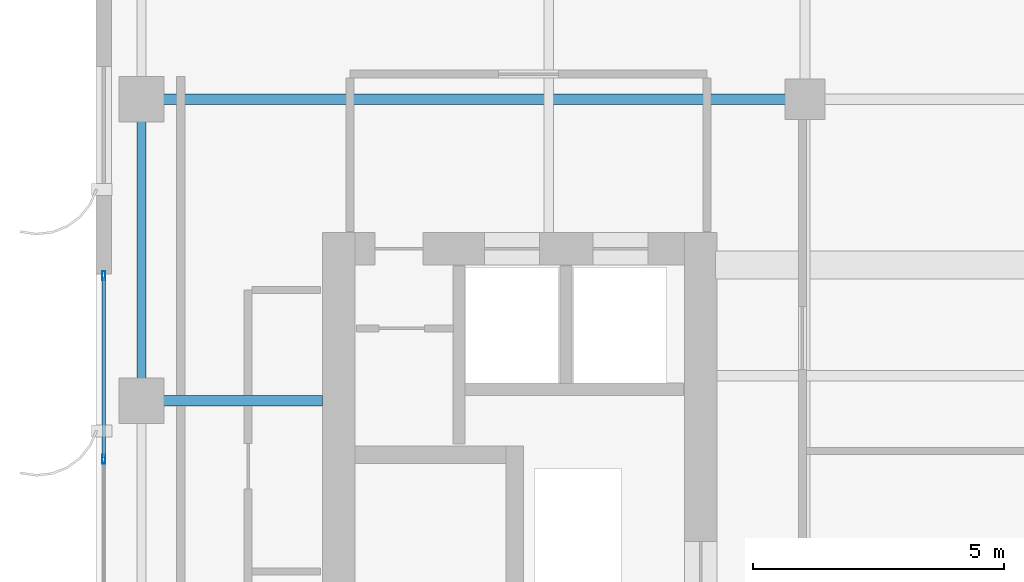
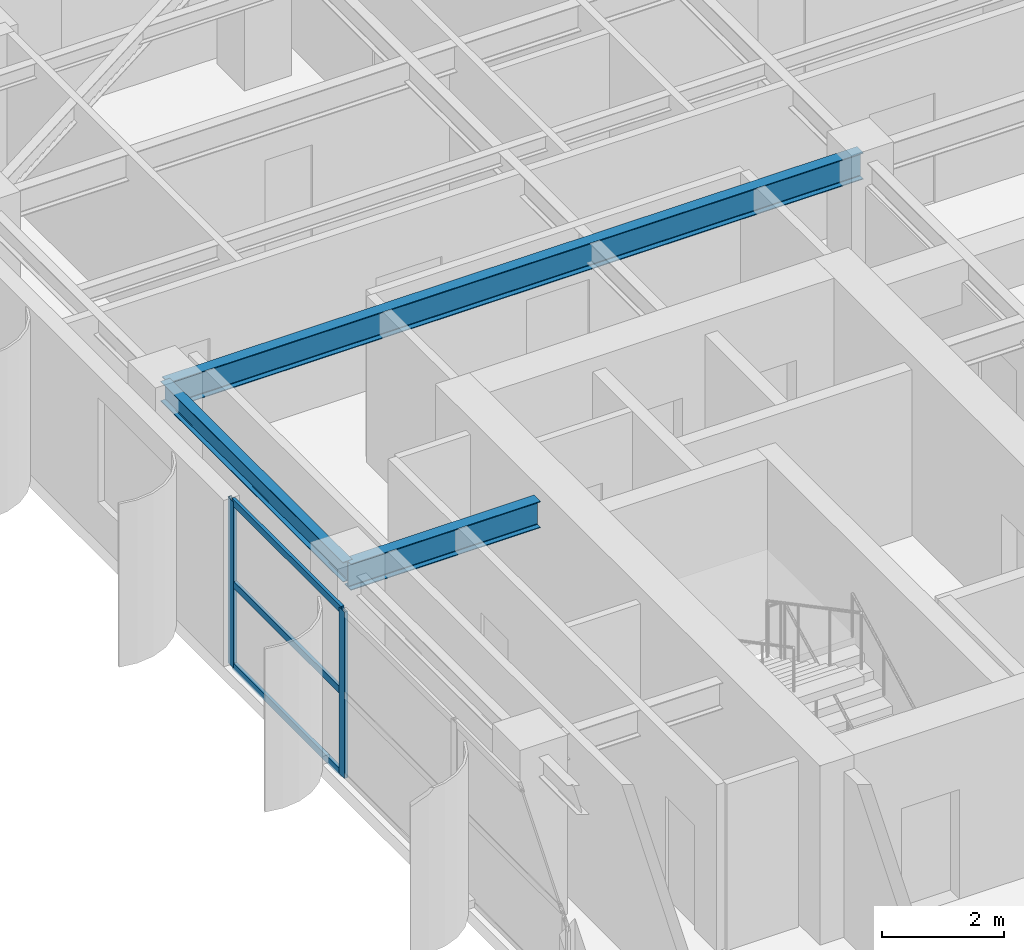
# One storey, part 7 of 23: 5 members, 3 beams, 1 element without a shape of its own.
"""IFC4 building model written with IfcOpenShell, lengths in metres."""

from ifc_helpers import new_model, si_unit, direction, frame, origin, origin_2d, place, context, subcontext, project, spatial, hollow_rectangle, i_section, extrude, source, transform, mapped, material, layer, layer_set, material_profile, profile_set, type_object, element, aggregate, save


model = new_model("IFC4")

# Units and contexts
model_context = context("Model", 3, precision=1e-05, world=origin(), true_north=direction((0.0, 1.0)))
body_context = subcontext(model_context, "Body", "Model", "MODEL_VIEW")
ifc_project = project(units=[si_unit("LENGTHUNIT", "METRE"), si_unit("AREAUNIT", "SQUARE_METRE"), si_unit("VOLUMEUNIT", "CUBIC_METRE"), si_unit("PLANEANGLEUNIT", "RADIAN"), si_unit("MASSUNIT", "GRAM", prefix="KILO")], contexts=[model_context])

# Site, building, storey
site_placement = place(None, origin())
site = spatial("IfcSite", under=ifc_project, at=site_placement, CompositionType="ELEMENT")
building_placement = place(site_placement, origin())
building = spatial("IfcBuilding", under=site, at=building_placement, Name="Khoralis Quay Care Tower", CompositionType="ELEMENT")
storey_placement = place(building_placement, frame((0.0, 0.0, 173.699951171875)))
storey = spatial("IfcBuildingStorey", under=building, at=storey_placement, Name="L45", CompositionType="ELEMENT", Elevation=173.699951171875)

# Beams
ifc_material_1 = material(Name="Steel S355", Category="steel")
ifc_material_profile_1 = material_profile(ifc_material_1, i_section(OverallWidth=0.179931640625, OverallDepth=0.39990234375, WebThickness=0.008544921875, FlangeThickness=0.013427734375, FilletRadius=0.02099609375, at=origin_2d()), Name="Steel S355")
ifc_profile_set_1 = profile_set([ifc_material_profile_1], Name="Steel S355")
beam_type_1 = type_object("IfcBeamType", Name="BM-IPE400", PredefinedType="SPANDREL", material=ifc_profile_set_1)
shared_shape_1 = source(origin(), body_context, "Body", "SweptSolid", [
    extrude(i_section(OverallWidth=0.179931640625, OverallDepth=0.39990234375, WebThickness=0.008544921875, FlangeThickness=0.013427734375, FilletRadius=0.02099609375, at=origin_2d()), origin(), (0.0, 0.0, 1.0), 6.0),
])
beam_1_placement = place(storey_placement, frame((3.89990234375, 24.0, 3.14013671875), z_axis=(0.0, 1.0, 0.0), x_axis=(-1.0, 0.0, 0.0)))
element("IfcBeam", 1, at=beam_1_placement, inside=storey, type_object=beam_type_1, Name="BM-TSP-L45-12", PredefinedType="SPANDREL", context=body_context, shape_type="MappedRepresentation", body=[
    mapped(shared_shape_1, transform((0.0, 0.0, 0.0), scale=1.0)),
])
ifc_material_profile_2 = material_profile(ifc_material_1, i_section(OverallWidth=0.208984375, OverallDepth=0.532958984375, WebThickness=0.01025390625, FlangeThickness=0.015625, FilletRadius=0.01611328125, at=origin_2d()), Name="Steel S355")
ifc_profile_set_2 = profile_set([ifc_material_profile_2], Name="Steel S355")
beam_type_2 = type_object("IfcBeamType", Name="BM-W530X92", PredefinedType="BEAM", material=ifc_profile_set_2)
shared_shape_2 = source(origin(), body_context, "Body", "SweptSolid", [
    extrude(i_section(OverallWidth=0.208984375, OverallDepth=0.532958984375, WebThickness=0.01025390625, FlangeThickness=0.015625, FilletRadius=0.01611328125, at=origin_2d()), origin(), (0.0, 0.0, 1.0), 13.2001953125),
])
beam_2_placement = place(storey_placement, frame((3.89990234375, 30.0, 3.073486328125), z_axis=(1.0, 0.0, 0.0), x_axis=(0.0, 1.0, 0.0)))
element("IfcBeam", 2, at=beam_2_placement, inside=storey, type_object=beam_type_2, Name="BM-TGXW-L45-300", PredefinedType="BEAM", context=body_context, shape_type="MappedRepresentation", body=[
    mapped(shared_shape_2, transform((0.0, 0.0, 0.0), scale=1.0)),
])
shared_shape_3 = source(origin(), body_context, "Body", "SweptSolid", [
    extrude(i_section(OverallWidth=0.208984375, OverallDepth=0.532958984375, WebThickness=0.01025390625, FlangeThickness=0.015625, FilletRadius=0.01611328125, at=origin_2d()), origin(), (0.0, 0.0, 1.0), 3.60205078125),
])
beam_3_placement = place(storey_placement, frame((3.89990234375, 24.0, 3.073486328125), z_axis=(1.0, 0.0, 0.0), x_axis=(0.0, 1.0, 0.0)))
element("IfcBeam", 3, at=beam_3_placement, inside=storey, type_object=beam_type_2, Name="BM-TGXW-L45-240", PredefinedType="BEAM", context=body_context, shape_type="MappedRepresentation", body=[
    mapped(shared_shape_3, transform((0.0, 0.0, 0.0), scale=1.0)),
])

# Curtain wall, members
ifc_material_2 = material(Name="Pale anodised aluminium", Category="aluminium")
ifc_layer = layer(ifc_material_2, 0.159912109375)
ifc_layer_set = layer_set([ifc_layer], Name="Pale anodised aluminium")
curtain_wall_type = type_object("IfcCurtainWallType", Name="CW-SYS-Z3", PredefinedType="NOTDEFINED", material=ifc_layer_set)
curtain_wall_placement = place(storey_placement, origin())
curtain_wall = element("IfcCurtainWall", 4, at=curtain_wall_placement, inside=storey, type_object=curtain_wall_type, Name="L45 Unitised Curtain Wall CW-L45-P1-E15", PredefinedType="NOTDEFINED")
ifc_material_profile_3 = material_profile(ifc_material_2, hollow_rectangle(XDim=0.06494140625, YDim=0.179931640625, WallThickness=0.00390625, at=origin_2d()), Name="Pale anodised aluminium")
ifc_profile_set_3 = profile_set([ifc_material_profile_3], Name="Pale anodised aluminium")
member_type_1 = type_object("IfcMemberType", Name="CW-MUL-180", PredefinedType="MULLION", material=ifc_profile_set_3)
shared_shape_4 = source(origin(), body_context, "Body", "SweptSolid", [
    extrude(hollow_rectangle(XDim=0.06494140625, YDim=0.179931640625, WallThickness=0.00390625, at=origin_2d()), origin(), (0.0, 0.0, 1.0), 3.340087890625),
])
member_1_placement = place(storey_placement, frame((3.14990234375, 26.489990234375, 0.0), z_axis=(0.0, 0.0, 1.0), x_axis=(1.0, 0.0, 0.0)))
member_1 = element("IfcMember", 5, at=member_1_placement, type_object=member_type_1, Name="CW3 mullion 1", PredefinedType="MULLION", context=body_context, shape_type="MappedRepresentation", body=[
    mapped(shared_shape_4, transform((0.0, 0.0, 0.0), scale=1.0)),
])
member_2_placement = place(storey_placement, frame((3.14990234375, 22.840087890625, 0.0), z_axis=(0.0, 0.0, 1.0), x_axis=(1.0, 0.0, 0.0)))
member_2 = element("IfcMember", 6, at=member_2_placement, type_object=member_type_1, Name="CW3 mullion 2", PredefinedType="MULLION", context=body_context, shape_type="MappedRepresentation", body=[
    mapped(shared_shape_4, transform((0.0, 0.0, 0.0), scale=1.0)),
])
ifc_material_profile_4 = material_profile(ifc_material_2, hollow_rectangle(XDim=0.06005859375, YDim=0.139892578125, WallThickness=0.00390625, at=origin_2d()), Name="Pale anodised aluminium")
ifc_profile_set_4 = profile_set([ifc_material_profile_4], Name="Pale anodised aluminium")
member_type_2 = type_object("IfcMemberType", Name="CW-TRN-140", PredefinedType="USERDEFINED", material=ifc_profile_set_4)
shared_shape_5 = source(origin(), body_context, "Body", "SweptSolid", [
    extrude(hollow_rectangle(XDim=0.06005859375, YDim=0.139892578125, WallThickness=0.00390625, at=origin_2d()), origin(), (0.0, 0.0, 1.0), 3.58984375),
])
member_3_placement = place(storey_placement, frame((3.14990234375, 26.4599609375, 0.030029296875), z_axis=(0.0, -1.0, 0.0), x_axis=(1.0, 0.0, 0.0)))
member_3 = element("IfcMember", 7, at=member_3_placement, type_object=member_type_2, Name="CW3 transom 1.1", ObjectType="TRANSOM", PredefinedType="USERDEFINED", context=body_context, shape_type="MappedRepresentation", body=[
    mapped(shared_shape_5, transform((0.0, 0.0, 0.0), scale=1.0)),
])
member_4_placement = place(storey_placement, frame((3.14990234375, 26.4599609375, 1.670166015625), z_axis=(0.0, -1.0, 0.0), x_axis=(1.0, 0.0, 0.0)))
member_4 = element("IfcMember", 8, at=member_4_placement, type_object=member_type_2, Name="CW3 transom 1.2", ObjectType="TRANSOM", PredefinedType="USERDEFINED", context=body_context, shape_type="MappedRepresentation", body=[
    mapped(shared_shape_5, transform((0.0, 0.0, 0.0), scale=1.0)),
])
member_5_placement = place(storey_placement, frame((3.14990234375, 26.4599609375, 3.31005859375), z_axis=(0.0, -1.0, 0.0), x_axis=(1.0, 0.0, 0.0)))
member_5 = element("IfcMember", 9, at=member_5_placement, type_object=member_type_2, Name="CW3 transom 1.3", ObjectType="TRANSOM", PredefinedType="USERDEFINED", context=body_context, shape_type="MappedRepresentation", body=[
    mapped(shared_shape_5, transform((0.0, 0.0, 0.0), scale=1.0)),
])
aggregate(curtain_wall, [member_1, member_2, member_3, member_4, member_5])

save(model, "model.ifc")
